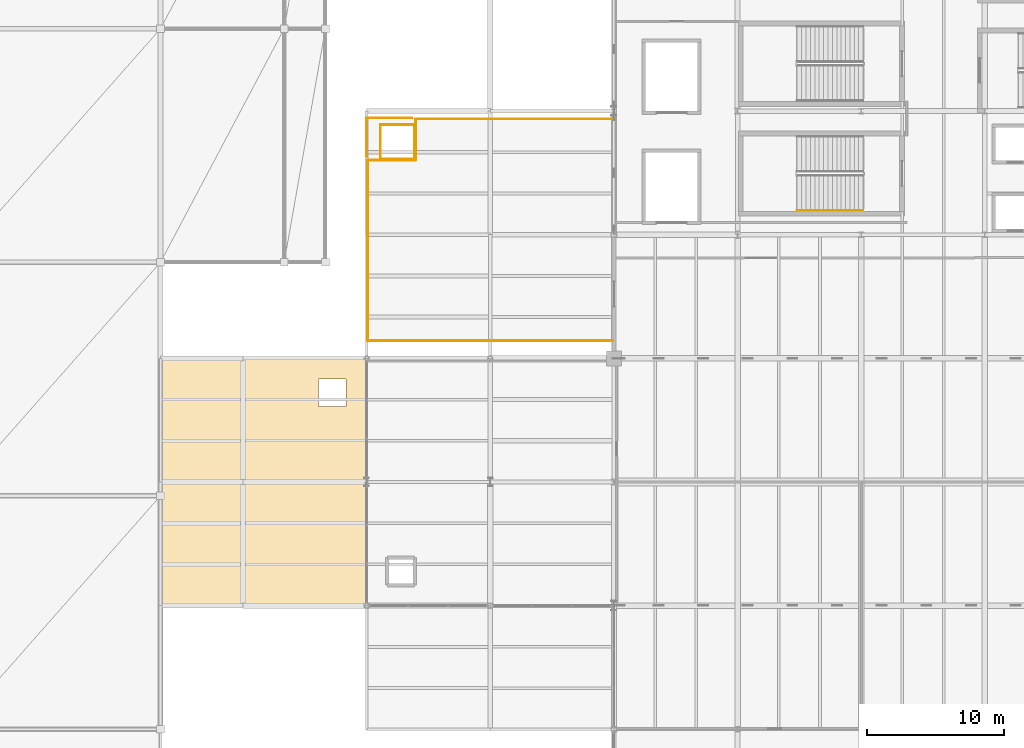
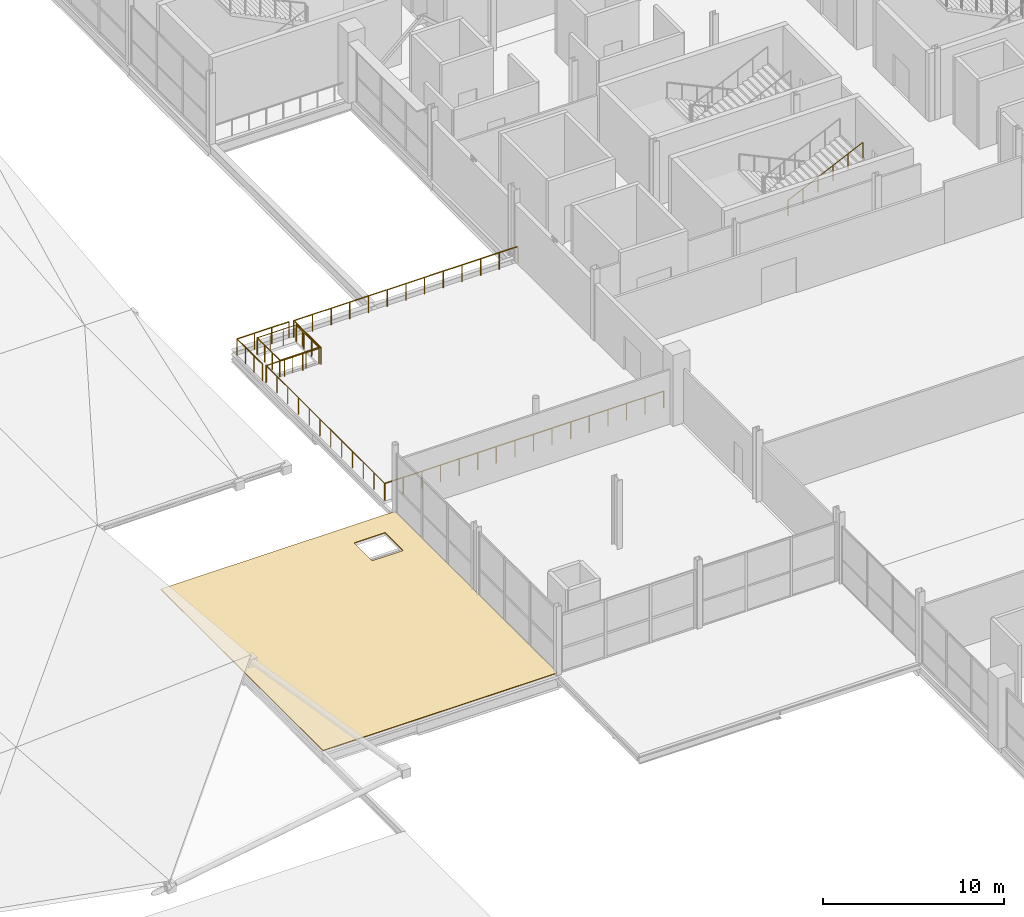
# One storey, part 61 of 69: 12 railings, 1 covering.
"""IFC4 building model written with IfcOpenShell, lengths in metres."""

from ifc_helpers import new_model, si_unit, direction, frame, origin, origin_2d, place, context, subcontext, project, spatial, polyline, circle, outline, extrude, material, layer, layer_set, type_object, element, save


model = new_model("IFC4")

# Units and contexts
model_context = context("Model", 3, precision=1e-05, world=origin(), true_north=direction((0.0, 1.0)))
body_context = subcontext(model_context, "Body", "Model", "MODEL_VIEW")
ifc_project = project(units=[si_unit("LENGTHUNIT", "METRE"), si_unit("AREAUNIT", "SQUARE_METRE"), si_unit("VOLUMEUNIT", "CUBIC_METRE"), si_unit("PLANEANGLEUNIT", "RADIAN"), si_unit("MASSUNIT", "GRAM", prefix="KILO")], contexts=[model_context])

# Site, building, storey
site_placement = place(None, origin())
site = spatial("IfcSite", under=ifc_project, at=site_placement, CompositionType="ELEMENT")
building_placement = place(site_placement, origin())
building = spatial("IfcBuilding", under=site, at=building_placement, Name="Qamarlyn Nura Convention Centre", CompositionType="ELEMENT")
storey_placement = place(building_placement, frame((0.0, 0.0, 15.60009765625)))
storey = spatial("IfcBuildingStorey", under=building, at=storey_placement, Name="L03", CompositionType="ELEMENT", Elevation=15.60009765625)

# Covering
ifc_material_1 = material(Name="High-albedo TPO cool-roof membrane")
ifc_layer = layer(ifc_material_1, 0.050048828125, Name="COV-ROOF-TPO")
ifc_layer_set = layer_set([ifc_layer], Name="High-albedo TPO cool-roof membrane")
covering_type = type_object("IfcCoveringType", Name="COV-ROOF-TPO", PredefinedType="ROOFING", material=ifc_layer_set)
covering_placement = place(storey_placement, origin())
element("IfcCovering", 1, at=covering_placement, inside=storey, type_object=covering_type, Name="L03 high-albedo TPO roof membrane ROOFSLAB-R-L03-BRG", PredefinedType="ROOFING", context=body_context, shape_type="SweptSolid", body=[
    extrude(outline(polyline([(120.0, 27.0), (120.0, 45.0), (135.0, 45.0), (135.0, 27.0), (120.0, 27.0)]), holes=[polyline([(133.5, 43.5), (131.5, 43.5), (131.5, 41.5), (133.5, 41.5), (133.5, 43.5)])]), origin(), (0.0, 0.0, 1.0), 0.0498046875),
])

# Railings
ifc_material_2 = material(Name="Marine Grade 316 stainless steel", Category="steel")
railing_type_1 = type_object("IfcRailingType", Name="GRD-TERR-115", PredefinedType="BALUSTRADE", material=ifc_material_2)
railing_1_placement = place(storey_placement, frame((152.919921875, 46.280029296875, 0.0)))
element("IfcRailing", 2, at=railing_1_placement, inside=storey, type_object=railing_type_1, Name="L03 Oasis Terrace perimeter guard 1", PredefinedType="BALUSTRADE", context=body_context, shape_type="SweptSolid", body=[
    extrude(circle(Radius=0.02392578125, at=origin_2d()), frame((0.0, 0.0, 1.1259765625), z_axis=(-1.0, 0.0, 0.0), x_axis=(0.0, -1.0, 0.0)), (0.0, 0.0, 1.0), 17.83984375),
    extrude(circle(Radius=0.02099609375, at=origin_2d()), origin(), (0.0, 0.0, 1.0), 1.099853515625),
    extrude(circle(Radius=0.02099609375, at=origin_2d()), frame((-1.189208984375, 0.0, 0.0)), (0.0, 0.0, 1.0), 1.099853515625),
    extrude(circle(Radius=0.02099609375, at=origin_2d()), frame((-2.378662109375, 0.0, 0.0)), (0.0, 0.0, 1.0), 1.099853515625),
    extrude(circle(Radius=0.02099609375, at=origin_2d()), frame((-3.56787109375, 0.0, 0.0)), (0.0, 0.0, 1.0), 1.099853515625),
    extrude(circle(Radius=0.02099609375, at=origin_2d()), frame((-4.75732421875, 0.0, 0.0)), (0.0, 0.0, 1.0), 1.099853515625),
    extrude(circle(Radius=0.02099609375, at=origin_2d()), frame((-5.946533203125, 0.0, 0.0)), (0.0, 0.0, 1.0), 1.099853515625),
    extrude(circle(Radius=0.02099609375, at=origin_2d()), frame((-7.135986328125, 0.0, 0.0)), (0.0, 0.0, 1.0), 1.099853515625),
    extrude(circle(Radius=0.02099609375, at=origin_2d()), frame((-8.3251953125, 0.0, 0.0)), (0.0, 0.0, 1.0), 1.099853515625),
    extrude(circle(Radius=0.02099609375, at=origin_2d()), frame((-9.5146484375, 0.0, 0.0)), (0.0, 0.0, 1.0), 1.099853515625),
    extrude(circle(Radius=0.02099609375, at=origin_2d()), frame((-10.703857421875, 0.0, 0.0)), (0.0, 0.0, 1.0), 1.099853515625),
    extrude(circle(Radius=0.02099609375, at=origin_2d()), frame((-11.893310546875, 0.0, 0.0)), (0.0, 0.0, 1.0), 1.099853515625),
    extrude(circle(Radius=0.02099609375, at=origin_2d()), frame((-13.08251953125, 0.0, 0.0)), (0.0, 0.0, 1.0), 1.099853515625),
    extrude(circle(Radius=0.02099609375, at=origin_2d()), frame((-14.27197265625, 0.0, 0.0)), (0.0, 0.0, 1.0), 1.099853515625),
    extrude(circle(Radius=0.02099609375, at=origin_2d()), frame((-15.461181640625, 0.0, 0.0)), (0.0, 0.0, 1.0), 1.099853515625),
    extrude(circle(Radius=0.02099609375, at=origin_2d()), frame((-16.650634765625, 0.0, 0.0)), (0.0, 0.0, 1.0), 1.099853515625),
    extrude(circle(Radius=0.02099609375, at=origin_2d()), frame((-17.83984375, 0.0, 0.0)), (0.0, 0.0, 1.0), 1.099853515625),
])
railing_2_placement = place(storey_placement, frame((135.080078125, 46.280029296875, 0.0)))
element("IfcRailing", 3, at=railing_2_placement, inside=storey, type_object=railing_type_1, Name="L03 Oasis Terrace perimeter guard 2", PredefinedType="BALUSTRADE", context=body_context, shape_type="SweptSolid", body=[
    extrude(circle(Radius=0.02392578125, at=origin_2d()), frame((0.0, 0.0, 1.1259765625), z_axis=(0.0, 1.0, 0.0), x_axis=(-1.0, 0.0, 0.0)), (0.0, 0.0, 1.0), 13.139892578125),
    extrude(circle(Radius=0.02099609375, at=origin_2d()), origin(), (0.0, 0.0, 1.0), 1.099853515625),
    extrude(circle(Radius=0.02099609375, at=origin_2d()), frame((0.0, 1.194580078125, 0.0)), (0.0, 0.0, 1.0), 1.099853515625),
    extrude(circle(Radius=0.02099609375, at=origin_2d()), frame((0.0, 2.38916015625, 0.0)), (0.0, 0.0, 1.0), 1.099853515625),
    extrude(circle(Radius=0.02099609375, at=origin_2d()), frame((0.0, 3.58349609375, 0.0)), (0.0, 0.0, 1.0), 1.099853515625),
    extrude(circle(Radius=0.02099609375, at=origin_2d()), frame((0.0, 4.778076171875, 0.0)), (0.0, 0.0, 1.0), 1.099853515625),
    extrude(circle(Radius=0.02099609375, at=origin_2d()), frame((0.0, 5.97265625, 0.0)), (0.0, 0.0, 1.0), 1.099853515625),
    extrude(circle(Radius=0.02099609375, at=origin_2d()), frame((0.0, 7.167236328125, 0.0)), (0.0, 0.0, 1.0), 1.099853515625),
    extrude(circle(Radius=0.02099609375, at=origin_2d()), frame((0.0, 8.36181640625, 0.0)), (0.0, 0.0, 1.0), 1.099853515625),
    extrude(circle(Radius=0.02099609375, at=origin_2d()), frame((0.0, 9.556396484375, 0.0)), (0.0, 0.0, 1.0), 1.099853515625),
    extrude(circle(Radius=0.02099609375, at=origin_2d()), frame((0.0, 10.750732421875, 0.0)), (0.0, 0.0, 1.0), 1.099853515625),
    extrude(circle(Radius=0.02099609375, at=origin_2d()), frame((0.0, 11.9453125, 0.0)), (0.0, 0.0, 1.0), 1.099853515625),
    extrude(circle(Radius=0.02099609375, at=origin_2d()), frame((0.0, 13.139892578125, 0.0)), (0.0, 0.0, 1.0), 1.099853515625),
])
railing_3_placement = place(storey_placement, frame((135.080078125, 59.419921875, 0.0)))
element("IfcRailing", 4, at=railing_3_placement, inside=storey, type_object=railing_type_1, Name="L03 Oasis Terrace perimeter guard 3", PredefinedType="BALUSTRADE", context=body_context, shape_type="SweptSolid", body=[
    extrude(circle(Radius=0.02392578125, at=origin_2d()), frame((0.0, 0.0, 1.1259765625), z_axis=(1.0, 0.0, 0.0), x_axis=(0.0, 1.0, 0.0)), (0.0, 0.0, 1.0), 3.5),
    extrude(circle(Radius=0.02099609375, at=origin_2d()), origin(), (0.0, 0.0, 1.0), 1.099853515625),
    extrude(circle(Radius=0.02099609375, at=origin_2d()), frame((1.166748046875, 0.0, 0.0)), (0.0, 0.0, 1.0), 1.099853515625),
    extrude(circle(Radius=0.02099609375, at=origin_2d()), frame((2.333251953125, 0.0, 0.0)), (0.0, 0.0, 1.0), 1.099853515625),
    extrude(circle(Radius=0.02099609375, at=origin_2d()), frame((3.5, 0.0, 0.0)), (0.0, 0.0, 1.0), 1.099853515625),
])
railing_4_placement = place(storey_placement, frame((138.580078125, 59.419921875, 0.0)))
element("IfcRailing", 5, at=railing_4_placement, inside=storey, type_object=railing_type_1, Name="L03 Oasis Terrace perimeter guard 4", PredefinedType="BALUSTRADE", context=body_context, shape_type="SweptSolid", body=[
    extrude(circle(Radius=0.02392578125, at=origin_2d()), frame((0.0, 0.0, 1.1259765625), z_axis=(0.0, 1.0, 0.0), x_axis=(-1.0, 0.0, 0.0)), (0.0, 0.0, 1.0), 3.0),
    extrude(circle(Radius=0.02099609375, at=origin_2d()), origin(), (0.0, 0.0, 1.0), 1.099853515625),
    extrude(circle(Radius=0.02099609375, at=origin_2d()), frame((0.0, 1.0, 0.0)), (0.0, 0.0, 1.0), 1.099853515625),
    extrude(circle(Radius=0.02099609375, at=origin_2d()), frame((0.0, 2.0, 0.0)), (0.0, 0.0, 1.0), 1.099853515625),
    extrude(circle(Radius=0.02099609375, at=origin_2d()), frame((0.0, 3.0, 0.0)), (0.0, 0.0, 1.0), 1.099853515625),
])
railing_5_placement = place(storey_placement, frame((138.580078125, 62.419921875, 0.0)))
element("IfcRailing", 6, at=railing_5_placement, inside=storey, type_object=railing_type_1, Name="L03 Oasis Terrace perimeter guard 5", PredefinedType="BALUSTRADE", context=body_context, shape_type="SweptSolid", body=[
    extrude(circle(Radius=0.02392578125, at=origin_2d()), frame((0.0, 0.0, 1.1259765625), z_axis=(1.0, 0.0, 0.0), x_axis=(0.0, 1.0, 0.0)), (0.0, 0.0, 1.0), 14.33984375),
    extrude(circle(Radius=0.02099609375, at=origin_2d()), origin(), (0.0, 0.0, 1.0), 1.099853515625),
    extrude(circle(Radius=0.02099609375, at=origin_2d()), frame((1.195068359375, 0.0, 0.0)), (0.0, 0.0, 1.0), 1.099853515625),
    extrude(circle(Radius=0.02099609375, at=origin_2d()), frame((2.389892578125, 0.0, 0.0)), (0.0, 0.0, 1.0), 1.099853515625),
    extrude(circle(Radius=0.02099609375, at=origin_2d()), frame((3.5849609375, 0.0, 0.0)), (0.0, 0.0, 1.0), 1.099853515625),
    extrude(circle(Radius=0.02099609375, at=origin_2d()), frame((4.780029296875, 0.0, 0.0)), (0.0, 0.0, 1.0), 1.099853515625),
    extrude(circle(Radius=0.02099609375, at=origin_2d()), frame((5.974853515625, 0.0, 0.0)), (0.0, 0.0, 1.0), 1.099853515625),
    extrude(circle(Radius=0.02099609375, at=origin_2d()), frame((7.169921875, 0.0, 0.0)), (0.0, 0.0, 1.0), 1.099853515625),
    extrude(circle(Radius=0.02099609375, at=origin_2d()), frame((8.364990234375, 0.0, 0.0)), (0.0, 0.0, 1.0), 1.099853515625),
    extrude(circle(Radius=0.02099609375, at=origin_2d()), frame((9.559814453125, 0.0, 0.0)), (0.0, 0.0, 1.0), 1.099853515625),
    extrude(circle(Radius=0.02099609375, at=origin_2d()), frame((10.7548828125, 0.0, 0.0)), (0.0, 0.0, 1.0), 1.099853515625),
    extrude(circle(Radius=0.02099609375, at=origin_2d()), frame((11.949951171875, 0.0, 0.0)), (0.0, 0.0, 1.0), 1.099853515625),
    extrude(circle(Radius=0.02099609375, at=origin_2d()), frame((13.144775390625, 0.0, 0.0)), (0.0, 0.0, 1.0), 1.099853515625),
    extrude(circle(Radius=0.02099609375, at=origin_2d()), frame((14.33984375, 0.0, 0.0)), (0.0, 0.0, 1.0), 1.099853515625),
])
railing_6_placement = place(storey_placement, frame((136.0, 59.5, 0.0)))
element("IfcRailing", 7, at=railing_6_placement, inside=storey, type_object=railing_type_1, Name="L03 terrace planter guard 33-S", PredefinedType="BALUSTRADE", context=body_context, shape_type="SweptSolid", body=[
    extrude(circle(Radius=0.02392578125, at=origin_2d()), frame((0.0, 0.0, 1.1259765625), z_axis=(1.0, 0.0, 0.0), x_axis=(0.0, 1.0, 0.0)), (0.0, 0.0, 1.0), 2.5),
    extrude(circle(Radius=0.02099609375, at=origin_2d()), origin(), (0.0, 0.0, 1.0), 1.099853515625),
    extrude(circle(Radius=0.02099609375, at=origin_2d()), frame((0.833251953125, 0.0, 0.0)), (0.0, 0.0, 1.0), 1.099853515625),
    extrude(circle(Radius=0.02099609375, at=origin_2d()), frame((1.666748046875, 0.0, 0.0)), (0.0, 0.0, 1.0), 1.099853515625),
    extrude(circle(Radius=0.02099609375, at=origin_2d()), frame((2.5, 0.0, 0.0)), (0.0, 0.0, 1.0), 1.099853515625),
])
railing_7_placement = place(storey_placement, frame((138.5, 62.0, 0.0)))
element("IfcRailing", 8, at=railing_7_placement, inside=storey, type_object=railing_type_1, Name="L03 terrace planter guard 33-N", PredefinedType="BALUSTRADE", context=body_context, shape_type="SweptSolid", body=[
    extrude(circle(Radius=0.02392578125, at=origin_2d()), frame((0.0, 0.0, 1.1259765625), z_axis=(-1.0, 0.0, 0.0), x_axis=(0.0, -1.0, 0.0)), (0.0, 0.0, 1.0), 2.5),
    extrude(circle(Radius=0.02099609375, at=origin_2d()), origin(), (0.0, 0.0, 1.0), 1.099853515625),
    extrude(circle(Radius=0.02099609375, at=origin_2d()), frame((-0.833251953125, 0.0, 0.0)), (0.0, 0.0, 1.0), 1.099853515625),
    extrude(circle(Radius=0.02099609375, at=origin_2d()), frame((-1.666748046875, 0.0, 0.0)), (0.0, 0.0, 1.0), 1.099853515625),
    extrude(circle(Radius=0.02099609375, at=origin_2d()), frame((-2.5, 0.0, 0.0)), (0.0, 0.0, 1.0), 1.099853515625),
])
railing_8_placement = place(storey_placement, frame((136.0, 62.0, 0.0)))
element("IfcRailing", 9, at=railing_8_placement, inside=storey, type_object=railing_type_1, Name="L03 terrace planter guard 33-W", PredefinedType="BALUSTRADE", context=body_context, shape_type="SweptSolid", body=[
    extrude(circle(Radius=0.02392578125, at=origin_2d()), frame((0.0, 0.0, 1.1259765625), z_axis=(0.0, -1.0, 0.0), x_axis=(1.0, 0.0, 0.0)), (0.0, 0.0, 1.0), 2.5),
    extrude(circle(Radius=0.02099609375, at=origin_2d()), origin(), (0.0, 0.0, 1.0), 1.099853515625),
    extrude(circle(Radius=0.02099609375, at=origin_2d()), frame((0.0, -0.833251953125, 0.0)), (0.0, 0.0, 1.0), 1.099853515625),
    extrude(circle(Radius=0.02099609375, at=origin_2d()), frame((0.0, -1.666748046875, 0.0)), (0.0, 0.0, 1.0), 1.099853515625),
    extrude(circle(Radius=0.02099609375, at=origin_2d()), frame((0.0, -2.5, 0.0)), (0.0, 0.0, 1.0), 1.099853515625),
])
railing_9_placement = place(storey_placement, frame((138.5, 59.5, 0.0)))
element("IfcRailing", 10, at=railing_9_placement, inside=storey, type_object=railing_type_1, Name="L03 terrace planter guard 33-E", PredefinedType="BALUSTRADE", context=body_context, shape_type="SweptSolid", body=[
    extrude(circle(Radius=0.02392578125, at=origin_2d()), frame((0.0, 0.0, 1.1259765625), z_axis=(0.0, 1.0, 0.0), x_axis=(-1.0, 0.0, 0.0)), (0.0, 0.0, 1.0), 2.5),
    extrude(circle(Radius=0.02099609375, at=origin_2d()), origin(), (0.0, 0.0, 1.0), 1.099853515625),
    extrude(circle(Radius=0.02099609375, at=origin_2d()), frame((0.0, 0.833251953125, 0.0)), (0.0, 0.0, 1.0), 1.099853515625),
    extrude(circle(Radius=0.02099609375, at=origin_2d()), frame((0.0, 1.666748046875, 0.0)), (0.0, 0.0, 1.0), 1.099853515625),
    extrude(circle(Radius=0.02099609375, at=origin_2d()), frame((0.0, 2.5, 0.0)), (0.0, 0.0, 1.0), 1.099853515625),
])
railing_type_2 = type_object("IfcRailingType", Name="GRD-VOID-112", PredefinedType="BALUSTRADE", material=ifc_material_2)
railing_10_placement = place(storey_placement, frame((135.0, 59.688232421875, 0.0)))
element("IfcRailing", 11, at=railing_10_placement, inside=storey, type_object=railing_type_2, Name="L03 slab edge balustrade guard 066", PredefinedType="BALUSTRADE", context=body_context, shape_type="SweptSolid", body=[
    extrude(circle(Radius=0.02392578125, at=origin_2d()), frame((0.0, 0.0, 1.09619140625), z_axis=(0.0, 1.0, 0.0), x_axis=(-1.0, 0.0, 0.0)), (0.0, 0.0, 1.0), 2.811767578125),
    extrude(circle(Radius=0.02099609375, at=origin_2d()), origin(), (0.0, 0.0, 1.0), 1.070068359375),
    extrude(circle(Radius=0.02099609375, at=origin_2d()), frame((0.0, 0.937255859375, 0.0)), (0.0, 0.0, 1.0), 1.070068359375),
    extrude(circle(Radius=0.02099609375, at=origin_2d()), frame((0.0, 1.87451171875, 0.0)), (0.0, 0.0, 1.0), 1.070068359375),
    extrude(circle(Radius=0.02099609375, at=origin_2d()), frame((0.0, 2.811767578125, 0.0)), (0.0, 0.0, 1.0), 1.070068359375),
])
railing_11_placement = place(storey_placement, frame((135.0, 62.5, 0.0)))
element("IfcRailing", 12, at=railing_11_placement, inside=storey, type_object=railing_type_2, Name="L03 slab edge balustrade guard 067", PredefinedType="BALUSTRADE", context=body_context, shape_type="SweptSolid", body=[
    extrude(circle(Radius=0.02392578125, at=origin_2d()), frame((0.0, 0.0, 1.09619140625), z_axis=(1.0, 0.0, 0.0), x_axis=(0.0, 1.0, 0.0)), (0.0, 0.0, 1.0), 3.311767578125),
    extrude(circle(Radius=0.02099609375, at=origin_2d()), origin(), (0.0, 0.0, 1.0), 1.070068359375),
    extrude(circle(Radius=0.02099609375, at=origin_2d()), frame((1.10400390625, 0.0, 0.0)), (0.0, 0.0, 1.0), 1.070068359375),
    extrude(circle(Radius=0.02099609375, at=origin_2d()), frame((2.207763671875, 0.0, 0.0)), (0.0, 0.0, 1.0), 1.070068359375),
    extrude(circle(Radius=0.02099609375, at=origin_2d()), frame((3.311767578125, 0.0, 0.0)), (0.0, 0.0, 1.0), 1.070068359375),
])
railing_type_3 = type_object("IfcRailingType", Name="HRL-STAIR-090", PredefinedType="HANDRAIL", material=ifc_material_2)
railing_12_placement = place(storey_placement, frame((166.340087890625, 55.75, 2.7021484375)))
element("IfcRailing", 13, at=railing_12_placement, inside=storey, type_object=railing_type_3, Name="L03 ST-11 stair handrail 2", PredefinedType="HANDRAIL", context=body_context, shape_type="SweptSolid", body=[
    extrude(circle(Radius=0.02392578125, at=origin_2d()), frame((0.0, 0.0, 0.88818359375), z_axis=(0.905452298538, 0.0, 0.424448035774), x_axis=(0.0, 1.0, 0.0)), (0.0, 0.0, 1.0), 5.301025390625),
    extrude(circle(Radius=0.02099609375, at=origin_2d()), frame((0.0, 0.0, -0.155029296875)), (0.0, 0.0, 1.0), 1.01708984375),
    extrude(circle(Radius=0.02099609375, at=origin_2d()), frame((0.9599609375, 0.0, 0.294921875)), (0.0, 0.0, 1.0), 1.01708984375),
    extrude(circle(Radius=0.02099609375, at=origin_2d()), frame((1.919921875, 0.0, 0.744873046875)), (0.0, 0.0, 1.0), 1.01708984375),
    extrude(circle(Radius=0.02099609375, at=origin_2d()), frame((2.8798828125, 0.0, 1.195068359375)), (0.0, 0.0, 1.0), 1.01708984375),
    extrude(circle(Radius=0.02099609375, at=origin_2d()), frame((3.83984375, 0.0, 1.64501953125)), (0.0, 0.0, 1.0), 1.01708984375),
    extrude(circle(Radius=0.02099609375, at=origin_2d()), frame((4.7998046875, 0.0, 2.094970703125)), (0.0, 0.0, 1.0), 1.01708984375),
])

save(model, "model.ifc")
